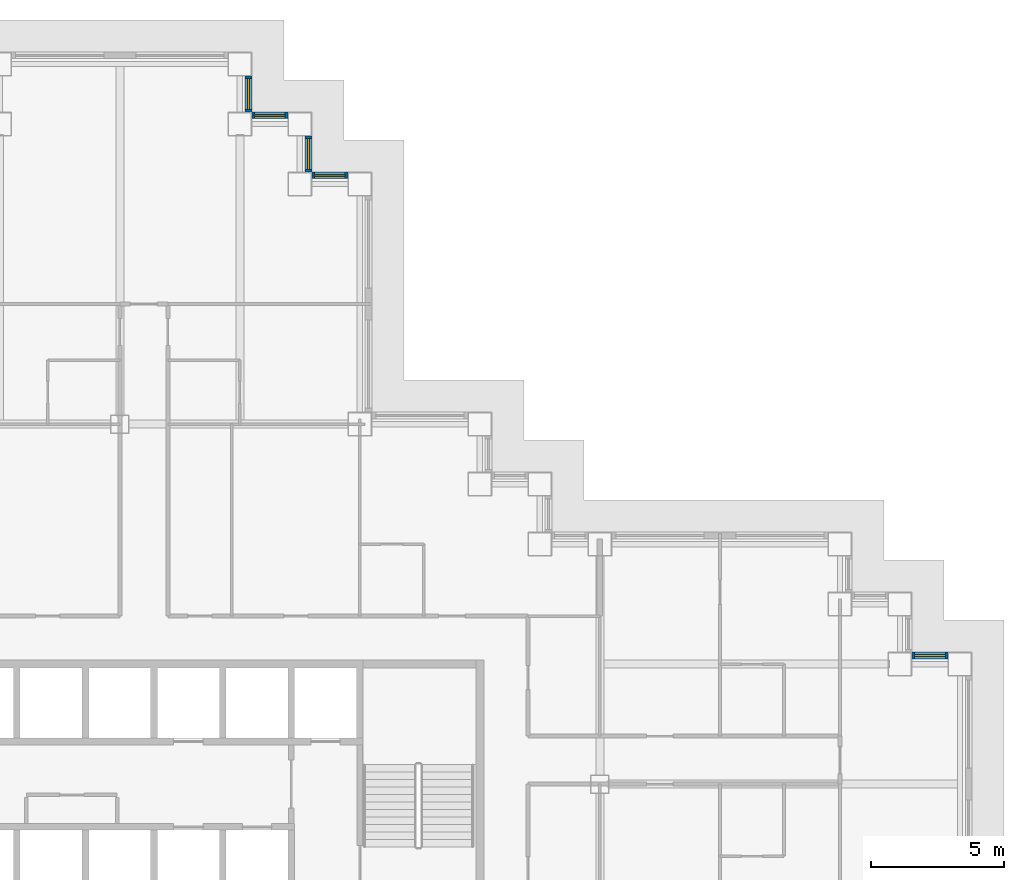
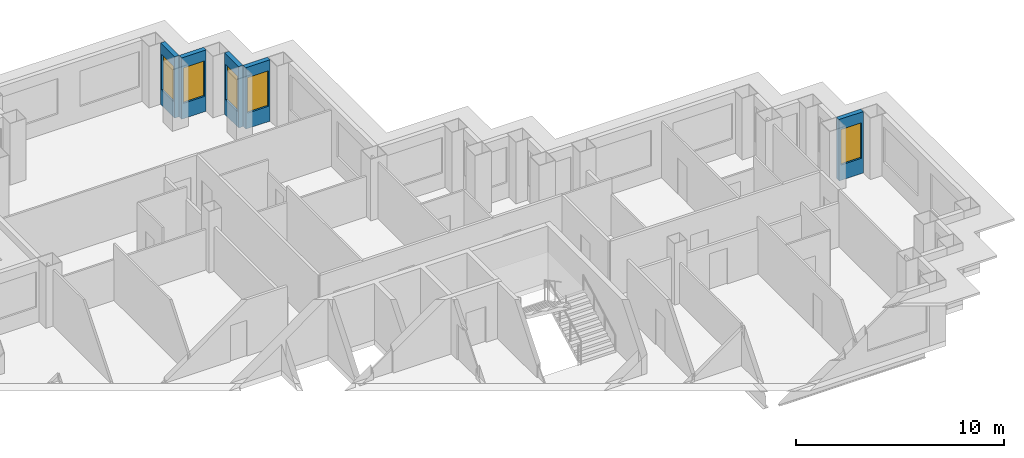
# One storey, part 10 of 15: 5 walls, 5 windows, 5 openings.
"""IFC4 building model written with IfcOpenShell, lengths in metres."""

import ifcopenshell
import ifcopenshell.guid

model = None  # the IFC model being written
_history = None  # IfcOwnerHistory: only IFC2X3 demands one
_inside = {}  # id of a spatial element -> (the spatial element, [elements in it])
_under = {}  # id of a project, library or spatial element -> (it, [spatial elements below it])
_declared = {}  # id of a project -> (the project, [libraries it declares])
_typed = {}  # id of a type object -> (the type object, [elements of that type])
_made_of = {}  # id of a material, layer set ... -> (it, [elements and type objects made of it])


def new_model(schema):
    """Start an empty IFC model of exactly this schema.

    Asked for "IFC4X3", IfcOpenShell would pick the latest addendum, in which some entities
    have other attributes; the version numbers below select the first issue.
    IFC2X3 requires an IfcOwnerHistory on every rooted entity: one is made here for all.
    """
    global model, _history
    if schema == "IFC4X3":
        model = ifcopenshell.file(schema_version=(4, 3, 0, 0))
    else:
        model = ifcopenshell.file(schema=schema)
    _inside.clear()
    _under.clear()
    _declared.clear()
    _typed.clear()
    _made_of.clear()
    _history = None
    if model.schema == "IFC2X3":
        org = make("IfcOrganization", Name="unknown")
        user = make(
            "IfcPersonAndOrganization",
            ThePerson=make("IfcPerson", FamilyName="unknown"),
            TheOrganization=org,
        )
        app = make(
            "IfcApplication",
            ApplicationDeveloper=org,
            Version="unknown",
            ApplicationFullName="unknown",
            ApplicationIdentifier="unknown",
        )
        _history = make(
            "IfcOwnerHistory",
            OwningUser=user,
            OwningApplication=app,
            ChangeAction="ADDED",
            CreationDate=0,
        )
    return model


def make(cls, **values):
    """One entity of the class cls with the attributes given. An attribute that is None is left unset."""
    return model.create_entity(
        cls, **{name: value for name, value in values.items() if value is not None}
    )


def rooted(cls, **values):
    """An entity with a GlobalId (a new one), such as an element, a storey or a relation."""
    return make(cls, GlobalId=ifcopenshell.guid.new(), OwnerHistory=_history, **values)


def si_unit(unit_type, name, prefix=None):
    """IfcSIUnit, for example si_unit("LENGTHUNIT", "METRE", prefix="MILLI")."""
    return make("IfcSIUnit", UnitType=unit_type, Prefix=prefix, Name=name)


def assignment(units):
    """IfcUnitAssignment: the units of a project."""
    return None if units is None else make("IfcUnitAssignment", Units=units)


def point(xyz):
    """IfcCartesianPoint."""
    return None if xyz is None else make("IfcCartesianPoint", Coordinates=xyz)


def direction(xyz):
    """IfcDirection."""
    return None if xyz is None else make("IfcDirection", DirectionRatios=xyz)


def frame(location, z_axis=None, x_axis=None):
    """IfcAxis2Placement3D, a coordinate frame: its origin and axes. An axis left out is left unset."""
    return make(
        "IfcAxis2Placement3D",
        Location=point(location),
        Axis=direction(z_axis),
        RefDirection=direction(x_axis),
    )


def frame_2d(location, x_axis=None):
    """IfcAxis2Placement2D, a coordinate frame in the plane: its origin and x axis."""
    return make(
        "IfcAxis2Placement2D", Location=point(location), RefDirection=direction(x_axis)
    )


def origin():
    """The frame at (0, 0, 0) with its axes left unset."""
    return frame((0.0, 0.0, 0.0))


def place(relative_to, where):
    """IfcLocalPlacement: puts the frame where relative to a parent placement (None: the world)."""
    return make(
        "IfcLocalPlacement", PlacementRelTo=relative_to, RelativePlacement=where
    )


def context(
    kind, dimensions, precision=None, world=None, true_north=None, identifier=None
):
    """IfcGeometricRepresentationContext, for example the 3D "Model" context."""
    return make(
        "IfcGeometricRepresentationContext",
        ContextIdentifier=identifier,
        ContextType=kind,
        CoordinateSpaceDimension=dimensions,
        Precision=precision,
        WorldCoordinateSystem=world,
        TrueNorth=true_north,
    )


def subcontext(parent, identifier, kind, view, scale=None):
    """IfcGeometricRepresentationSubContext, for example "Body" below "Model"."""
    return make(
        "IfcGeometricRepresentationSubContext",
        ContextIdentifier=identifier,
        ContextType=kind,
        ParentContext=parent,
        TargetScale=scale,
        TargetView=view,
    )


def project(units=None, contexts=None):
    """IfcProject with its units and contexts."""
    return rooted(
        "IfcProject",
        Name="project",
        RepresentationContexts=contexts,
        UnitsInContext=assignment(units),
    )


def spatial(cls, under=None, at=None, **own):
    """A site, building, storey or space (cls), placed at a placement, below another one or the project."""
    s = rooted(cls, ObjectPlacement=at, **own)
    if under is not None:
        _under.setdefault(under.id(), (under, []))[1].append(s)
    return s


def profile(cls, at=None, kind="AREA", **sizes):
    """A parametric profile (cls). Its sizes go by their IFC names, for example OverallWidth=200.0."""
    return make(cls, ProfileType=kind, Position=at, **sizes)


def rectangle(**sizes):
    """IfcRectangleProfileDef."""
    return profile("IfcRectangleProfileDef", **sizes)


def extrude(swept, where, along, depth):
    """IfcExtrudedAreaSolid: the profile swept, set in the frame where, extruded along a direction by depth."""
    return make(
        "IfcExtrudedAreaSolid",
        SweptArea=swept,
        Position=where,
        ExtrudedDirection=direction(along),
        Depth=depth,
    )


def shape(context_of_items, identifier, shape_type, items):
    """IfcShapeRepresentation: the items that make up one representation, for example the "Body"."""
    return make(
        "IfcShapeRepresentation",
        ContextOfItems=context_of_items,
        RepresentationIdentifier=identifier,
        RepresentationType=shape_type,
        Items=items,
    )


def material(Name=None, Category=None):
    """IfcMaterial."""
    return make("IfcMaterial", Name=Name, Category=Category)


def layer(
    of_material, thickness, ventilated=None, Name=None, Category=None, Priority=None
):
    """IfcMaterialLayer: one layer of a wall or slab, of a material (None: an air gap)."""
    return make(
        "IfcMaterialLayer",
        Material=of_material,
        LayerThickness=thickness,
        IsVentilated=ventilated,
        Name=Name,
        Category=Category,
        Priority=Priority,
    )


def layer_set(layers, Name=None):
    """IfcMaterialLayerSet."""
    return make("IfcMaterialLayerSet", MaterialLayers=layers, LayerSetName=Name)


def made_of(thing, what):
    """Note that an element or type object is made of a material, layer set ...; save() writes the relation."""
    if what is not None:
        _made_of.setdefault(what.id(), (what, []))[1].append(thing)
    return thing


def type_object(cls, material=None, **own):
    """A type object (cls), such as IfcWallType, which elements share."""
    return made_of(rooted(cls, **own), material)


def element(
    cls,
    number,
    at=None,
    inside=None,
    cuts=None,
    type_object=None,
    material=None,
    context=None,
    identifier="Body",
    shape_type=None,
    held_by="IfcProductDefinitionShape",
    body=None,
    shapes=None,
    **own,
):
    """One element of the class cls, such as IfcWall. Its Tag is "e" and its number.

    at: its placement. inside: the storey or other place that contains it. cuts: it is an
    opening in that element (IfcRelVoidsElement). A single representation is given by context,
    identifier, shape_type and body (its items); several are given by shapes. held_by: the class
    of the entity that holds the representations. save() writes the other relations.
    """
    e = rooted(cls, Tag="e%d" % number, ObjectPlacement=at, **own)
    if body is not None:
        shapes = [shape(context, identifier, shape_type, body)]
    if shapes is not None:
        e.Representation = make(held_by, Representations=shapes)
    if inside is not None:
        _inside.setdefault(inside.id(), (inside, []))[1].append(e)
    if cuts is not None:
        rooted(
            "IfcRelVoidsElement", RelatingBuildingElement=cuts, RelatedOpeningElement=e
        )
    if type_object is not None:
        _typed.setdefault(type_object.id(), (type_object, []))[1].append(e)
    return made_of(e, material)


def fill(opening, filler):
    """IfcRelFillsElement: the door or window that sits in an opening."""
    return rooted(
        "IfcRelFillsElement",
        RelatingOpeningElement=opening,
        RelatedBuildingElement=filler,
    )


def aggregate(whole, parts):
    """IfcRelAggregates: a whole, such as a stair, and the parts it consists of."""
    return rooted("IfcRelAggregates", RelatingObject=whole, RelatedObjects=parts)


def save(model, path):
    """Write the relations noted so far, then the file.

    IfcRelAggregates (storeys below a building ...), IfcRelContainedInSpatialStructure (elements
    in a storey), IfcRelDefinesByType, IfcRelAssociatesMaterial and IfcRelDeclares: one each for
    every whole, place, type object, material and project.
    """
    for whole, parts in _under.values():
        aggregate(whole, parts)
    for where, things in _inside.values():
        rooted(
            "IfcRelContainedInSpatialStructure",
            RelatedElements=things,
            RelatingStructure=where,
        )
    for kind, things in _typed.values():
        rooted("IfcRelDefinesByType", RelatedObjects=things, RelatingType=kind)
    for what, things in _made_of.values():
        rooted("IfcRelAssociatesMaterial", RelatedObjects=things, RelatingMaterial=what)
    for by, libraries in _declared.values():
        rooted("IfcRelDeclares", RelatingContext=by, RelatedDefinitions=libraries)
    model.write(path)


model = new_model("IFC4")

# Units and contexts
model_context = context("Model", 3, precision=1e-05, world=origin(), true_north=direction((0.0, 1.0)))
body_context = subcontext(model_context, "Body", "Model", "MODEL_VIEW")
ifc_project = project(units=[si_unit("LENGTHUNIT", "METRE"), si_unit("AREAUNIT", "SQUARE_METRE"), si_unit("VOLUMEUNIT", "CUBIC_METRE"), si_unit("PLANEANGLEUNIT", "RADIAN"), si_unit("MASSUNIT", "GRAM", prefix="KILO")], contexts=[model_context])

# Site, building, storey
site_placement = place(None, origin())
site = spatial("IfcSite", under=ifc_project, at=site_placement, CompositionType="ELEMENT")
building_placement = place(site_placement, origin())
building = spatial("IfcBuilding", under=site, at=building_placement, Name="Caravel Reach Hotel and Residences", CompositionType="ELEMENT")
storey_placement = place(building_placement, frame((0.0, 0.0, 108.0)))
storey = spatial("IfcBuildingStorey", under=building, at=storey_placement, Name="L26", CompositionType="ELEMENT", Elevation=108.0)

# Wall, opening, window
ifc_material_1 = material(Name="Insulated rainscreen wall, aluminium cladding", Category="aluminium")
ifc_layer = layer(ifc_material_1, 0.25)
ifc_layer_set = layer_set([ifc_layer], Name="EW1 Tower rainscreen wall")
wall_type = type_object("IfcWallType", Name="EW1 Tower rainscreen wall", PredefinedType="SOLIDWALL", material=ifc_layer_set)
wall_1_placement = place(storey_placement, frame((62.550048828125, 31.824951171875, 0.0), z_axis=(0.0, 0.0, 1.0), x_axis=(-1.0, 0.0, 0.0)))
wall_1 = element("IfcWall", 1, at=wall_1_placement, inside=storey, type_object=wall_type, Name="External wall L26 N21.1", PredefinedType="SOLIDWALL", context=body_context, shape_type="SweptSolid", body=[
    extrude(rectangle(XDim=1.35009765625, YDim=0.25, at=frame_2d((0.675048828125, 0.0))), origin(), (0.0, 0.0, 1.0), 3.60009765625),
])
opening_1_placement = place(wall_1_placement, frame((0.10009765625, 0.0, 0.89990234375)))
opening_1 = element("IfcOpeningElement", 2, at=opening_1_placement, cuts=wall_1, Name="Opening WN8", PredefinedType="OPENING", context=body_context, shape_type="SweptSolid", body=[
    extrude(rectangle(XDim=1.14990234375, YDim=2.080078125, at=frame_2d((0.574951171875, 1.0400390625))), frame((0.0, 0.135009765625, 0.0), z_axis=(0.0, -1.0, 0.0), x_axis=(1.0, 0.0, 0.0)), (0.0, 0.0, 1.0), 0.27001953125),
])
ifc_material_2 = material(Name="Dark low-e glazing in black aluminium frame", Category="aluminium")
window_type = type_object("IfcWindowType", Name="Hotel suite corner window 1150 x 2080", PartitioningType="SINGLE_PANEL", PredefinedType="WINDOW", material=ifc_material_2)
window_1_placement = place(opening_1_placement, origin())
window_1 = element("IfcWindow", 3, at=window_1_placement, inside=storey, type_object=window_type, Name="Window L26 N21.1.1", OverallHeight=2.080078125, OverallWidth=1.14990234375, PartitioningType="SINGLE_PANEL", PredefinedType="WINDOW", context=body_context, shape_type="SweptSolid", body=[
    extrude(rectangle(XDim=1.14990234375, YDim=2.080078125, at=frame_2d((0.574951171875, 1.0400390625))), frame((0.0, 0.030029296875, 0.0), z_axis=(0.0, -1.0, 0.0), x_axis=(1.0, 0.0, 0.0)), (0.0, 0.0, 1.0), 0.06005859375),
])
fill(opening_1, window_1)

wall_2_placement = place(storey_placement, frame((40.050048828125, 49.824951171875, 0.0), z_axis=(0.0, 0.0, 1.0), x_axis=(-1.0, 0.0, 0.0)))
wall_2 = element("IfcWall", 4, at=wall_2_placement, inside=storey, type_object=wall_type, Name="External wall L26 N31.1", PredefinedType="SOLIDWALL", context=body_context, shape_type="SweptSolid", body=[
    extrude(rectangle(XDim=1.35009765625, YDim=0.25, at=frame_2d((0.675048828125, 0.0))), origin(), (0.0, 0.0, 1.0), 3.60009765625),
])
opening_2_placement = place(wall_2_placement, frame((0.10009765625, 0.0, 0.89990234375)))
opening_2 = element("IfcOpeningElement", 5, at=opening_2_placement, cuts=wall_2, Name="Opening WN8", PredefinedType="OPENING", context=body_context, shape_type="SweptSolid", body=[
    extrude(rectangle(XDim=1.14990234375, YDim=2.080078125, at=frame_2d((0.574951171875, 1.0400390625))), frame((0.0, 0.135009765625, 0.0), z_axis=(0.0, -1.0, 0.0), x_axis=(1.0, 0.0, 0.0)), (0.0, 0.0, 1.0), 0.27001953125),
])
window_2_placement = place(opening_2_placement, origin())
window_2 = element("IfcWindow", 6, at=window_2_placement, inside=storey, type_object=window_type, Name="Window L26 N31.1.1", OverallHeight=2.080078125, OverallWidth=1.14990234375, PartitioningType="SINGLE_PANEL", PredefinedType="WINDOW", context=body_context, shape_type="SweptSolid", body=[
    extrude(rectangle(XDim=1.14990234375, YDim=2.080078125, at=frame_2d((0.574951171875, 1.0400390625))), frame((0.0, 0.030029296875, 0.0), z_axis=(0.0, -1.0, 0.0), x_axis=(1.0, 0.0, 0.0)), (0.0, 0.0, 1.0), 0.06005859375),
])
fill(opening_2, window_2)

wall_3_placement = place(storey_placement, frame((38.574951171875, 49.949951171875, 0.0), z_axis=(0.0, 0.0, 1.0), x_axis=(0.0, 1.0, 0.0)))
wall_3 = element("IfcWall", 7, at=wall_3_placement, inside=storey, type_object=wall_type, Name="External wall L26 E32.1", PredefinedType="SOLIDWALL", context=body_context, shape_type="SweptSolid", body=[
    extrude(rectangle(XDim=1.35009765625, YDim=0.25, at=frame_2d((0.675048828125, 0.0))), origin(), (0.0, 0.0, 1.0), 3.60009765625),
])
opening_3_placement = place(wall_3_placement, frame((0.10009765625, 0.0, 0.89990234375)))
opening_3 = element("IfcOpeningElement", 8, at=opening_3_placement, cuts=wall_3, Name="Opening WN8", PredefinedType="OPENING", context=body_context, shape_type="SweptSolid", body=[
    extrude(rectangle(XDim=1.14990234375, YDim=2.080078125, at=frame_2d((0.574951171875, 1.0400390625))), frame((0.0, 0.135009765625, 0.0), z_axis=(0.0, -1.0, 0.0), x_axis=(1.0, 0.0, 0.0)), (0.0, 0.0, 1.0), 0.27001953125),
])
window_3_placement = place(opening_3_placement, origin())
window_3 = element("IfcWindow", 9, at=window_3_placement, inside=storey, type_object=window_type, Name="Window L26 E32.1.1", OverallHeight=2.080078125, OverallWidth=1.14990234375, PartitioningType="SINGLE_PANEL", PredefinedType="WINDOW", context=body_context, shape_type="SweptSolid", body=[
    extrude(rectangle(XDim=1.14990234375, YDim=2.080078125, at=frame_2d((0.574951171875, 1.0400390625))), frame((0.0, 0.030029296875, 0.0), z_axis=(0.0, -1.0, 0.0), x_axis=(1.0, 0.0, 0.0)), (0.0, 0.0, 1.0), 0.06005859375),
])
fill(opening_3, window_3)

wall_4_placement = place(storey_placement, frame((37.800048828125, 52.074951171875, 0.0), z_axis=(0.0, 0.0, 1.0), x_axis=(-1.0, 0.0, 0.0)))
wall_4 = element("IfcWall", 10, at=wall_4_placement, inside=storey, type_object=wall_type, Name="External wall L26 N33.1", PredefinedType="SOLIDWALL", context=body_context, shape_type="SweptSolid", body=[
    extrude(rectangle(XDim=1.35009765625, YDim=0.25, at=frame_2d((0.675048828125, 0.0))), origin(), (0.0, 0.0, 1.0), 3.60009765625),
])
opening_4_placement = place(wall_4_placement, frame((0.10009765625, 0.0, 0.89990234375)))
opening_4 = element("IfcOpeningElement", 11, at=opening_4_placement, cuts=wall_4, Name="Opening WN8", PredefinedType="OPENING", context=body_context, shape_type="SweptSolid", body=[
    extrude(rectangle(XDim=1.14990234375, YDim=2.080078125, at=frame_2d((0.574951171875, 1.0400390625))), frame((0.0, 0.135009765625, 0.0), z_axis=(0.0, -1.0, 0.0), x_axis=(1.0, 0.0, 0.0)), (0.0, 0.0, 1.0), 0.27001953125),
])
window_4_placement = place(opening_4_placement, origin())
window_4 = element("IfcWindow", 12, at=window_4_placement, inside=storey, type_object=window_type, Name="Window L26 N33.1.1", OverallHeight=2.080078125, OverallWidth=1.14990234375, PartitioningType="SINGLE_PANEL", PredefinedType="WINDOW", context=body_context, shape_type="SweptSolid", body=[
    extrude(rectangle(XDim=1.14990234375, YDim=2.080078125, at=frame_2d((0.574951171875, 1.0400390625))), frame((0.0, 0.030029296875, 0.0), z_axis=(0.0, -1.0, 0.0), x_axis=(1.0, 0.0, 0.0)), (0.0, 0.0, 1.0), 0.06005859375),
])
fill(opening_4, window_4)

wall_5_placement = place(storey_placement, frame((36.324951171875, 52.199951171875, 0.0), z_axis=(0.0, 0.0, 1.0), x_axis=(0.0, 1.0, 0.0)))
wall_5 = element("IfcWall", 13, at=wall_5_placement, inside=storey, type_object=wall_type, Name="External wall L26 E34.1", PredefinedType="SOLIDWALL", context=body_context, shape_type="SweptSolid", body=[
    extrude(rectangle(XDim=1.35009765625, YDim=0.25, at=frame_2d((0.675048828125, 0.0))), origin(), (0.0, 0.0, 1.0), 3.60009765625),
])
opening_5_placement = place(wall_5_placement, frame((0.10009765625, 0.0, 0.89990234375)))
opening_5 = element("IfcOpeningElement", 14, at=opening_5_placement, cuts=wall_5, Name="Opening WN8", PredefinedType="OPENING", context=body_context, shape_type="SweptSolid", body=[
    extrude(rectangle(XDim=1.14990234375, YDim=2.080078125, at=frame_2d((0.574951171875, 1.0400390625))), frame((0.0, 0.135009765625, 0.0), z_axis=(0.0, -1.0, 0.0), x_axis=(1.0, 0.0, 0.0)), (0.0, 0.0, 1.0), 0.27001953125),
])
window_5_placement = place(opening_5_placement, origin())
window_5 = element("IfcWindow", 15, at=window_5_placement, inside=storey, type_object=window_type, Name="Window L26 E34.1.1", OverallHeight=2.080078125, OverallWidth=1.14990234375, PartitioningType="SINGLE_PANEL", PredefinedType="WINDOW", context=body_context, shape_type="SweptSolid", body=[
    extrude(rectangle(XDim=1.14990234375, YDim=2.080078125, at=frame_2d((0.574951171875, 1.0400390625))), frame((0.0, 0.030029296875, 0.0), z_axis=(0.0, -1.0, 0.0), x_axis=(1.0, 0.0, 0.0)), (0.0, 0.0, 1.0), 0.06005859375),
])
fill(opening_5, window_5)

save(model, "model.ifc")
